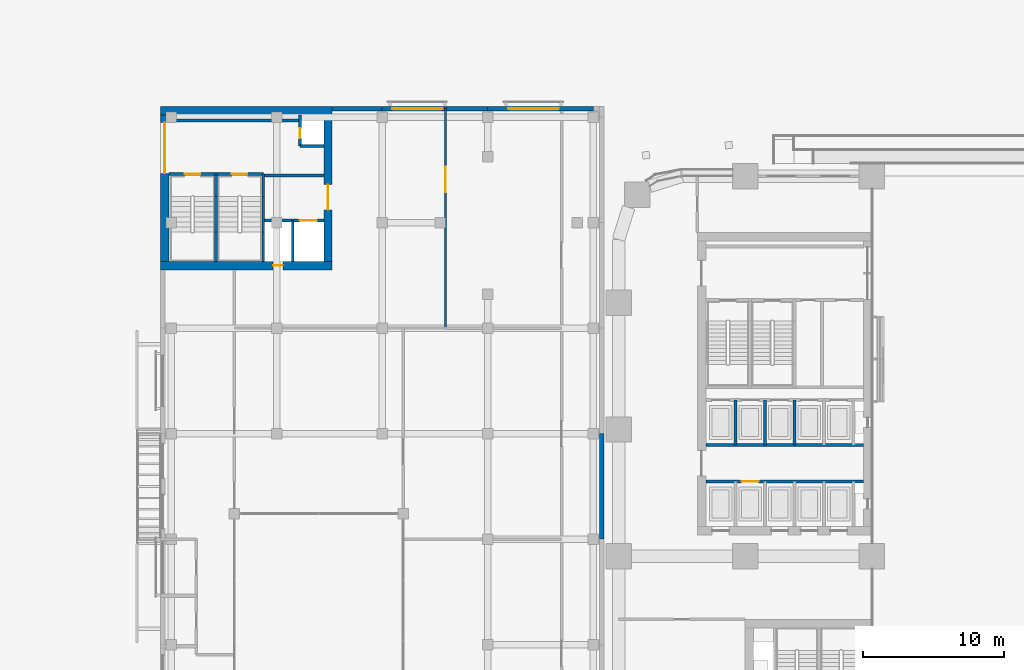
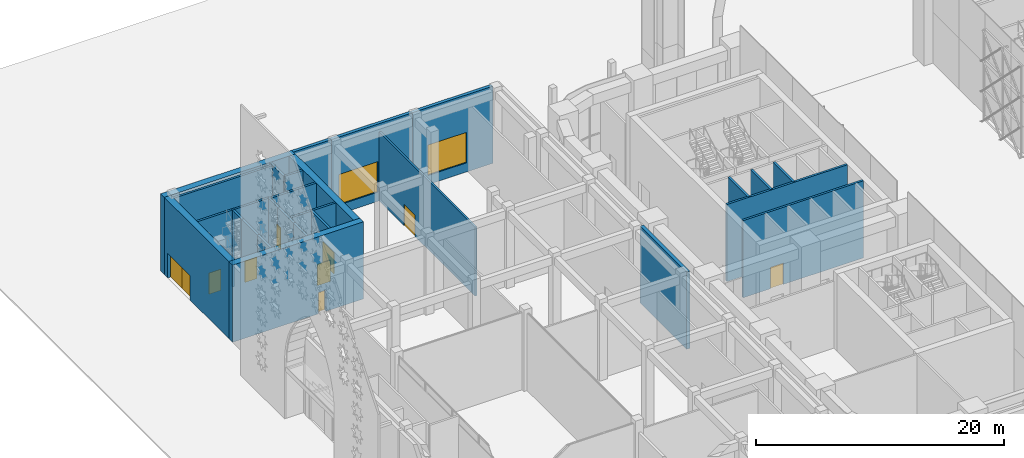
# One storey, part 34 of 64: 29 walls, 10 doors, 2 windows, 12 openings.
"""IFC4 building model written with IfcOpenShell, lengths in metres."""

from ifc_helpers import new_model, si_unit, direction, frame, frame_2d, origin, place, context, subcontext, project, spatial, rectangle, extrude, material, layer, layer_set, type_object, element, fill, save


model = new_model("IFC4")

# Units and contexts
model_context = context("Model", 3, precision=1e-05, world=origin(), true_north=direction((0.0, 1.0)))
body_context = subcontext(model_context, "Body", "Model", "MODEL_VIEW")
ifc_project = project(units=[si_unit("LENGTHUNIT", "METRE"), si_unit("AREAUNIT", "SQUARE_METRE"), si_unit("VOLUMEUNIT", "CUBIC_METRE"), si_unit("PLANEANGLEUNIT", "RADIAN"), si_unit("MASSUNIT", "GRAM", prefix="KILO")], contexts=[model_context])

# Site, building, storey
site_placement = place(None, origin())
site = spatial("IfcSite", under=ifc_project, at=site_placement, CompositionType="ELEMENT")
building_placement = place(site_placement, origin())
building = spatial("IfcBuilding", under=site, at=building_placement, Name="Tessera Arch", CompositionType="ELEMENT")
storey_placement = place(building_placement, origin())
storey = spatial("IfcBuildingStorey", under=building, at=storey_placement, Name="L00", CompositionType="ELEMENT", Elevation=0.0)

# Walls
ifc_material_1 = material(Name="Gypsum board on steel stud", Category="steel")
ifc_layer_1 = layer(ifc_material_1, 0.125)
ifc_layer_set_1 = layer_set([ifc_layer_1], Name="Core partition 125 EI 60")
wall_type_1 = type_object("IfcWallType", Name="Core partition 125 EI 60", PredefinedType="PARTITIONING", material=ifc_layer_set_1)
wall_1_placement = place(storey_placement, frame((-25.25, 54.050048828125, 0.0), z_axis=(0.0, 0.0, 1.0), x_axis=(1.0, 0.0, 0.0)))
element("IfcWall", 1, at=wall_1_placement, inside=storey, type_object=wall_type_1, Name="L00 M1 partition wall 10", PredefinedType="PARTITIONING", context=body_context, shape_type="SweptSolid", body=[
    extrude(rectangle(XDim=4.300048828125, YDim=0.199951171875, at=frame_2d((2.14990234375, 0.0))), origin(), (0.0, 0.0, 1.0), 7.590087890625),
])
wall_2_placement = place(storey_placement, frame((-31.949951171875, 57.949951171875, 0.0), z_axis=(0.0, 0.0, 1.0), x_axis=(1.0, 0.0, 0.0)))
element("IfcWall", 2, at=wall_2_placement, inside=storey, type_object=wall_type_1, Name="L00 M1 partition wall 15", PredefinedType="PARTITIONING", context=body_context, shape_type="SweptSolid", body=[
    extrude(rectangle(XDim=9.300048828125, YDim=0.199951171875, at=frame_2d((4.64990234375, 0.0))), origin(), (0.0, 0.0, 1.0), 7.590087890625),
])

# Wall, opening, door
ifc_material_2 = material(Name="Concrete C70/85", Category="concrete")
ifc_layer_2 = layer(ifc_material_2, 0.60009765625)
ifc_layer_set_2 = layer_set([ifc_layer_2], Name="Core shell wall 600 C70-85")
wall_type_2 = type_object("IfcWallType", Name="Core shell wall 600 C70-85", PredefinedType="SHEAR", material=ifc_layer_set_2)
wall_3_placement = place(storey_placement, frame((-32.550048828125, 47.64990234375, 0.0), z_axis=(0.0, 0.0, 1.0), x_axis=(1.0, 0.0, 0.0)))
wall_3 = element("IfcWall", 3, at=wall_3_placement, inside=storey, type_object=wall_type_2, Name="L00 M1 core wall S", PredefinedType="SHEAR", context=body_context, shape_type="SweptSolid", body=[
    extrude(rectangle(XDim=12.199951171875, YDim=0.60009765625, at=frame_2d((6.10009765625, 0.0))), origin(), (0.0, 0.0, 1.0), 7.590087890625),
])
opening_1_placement = place(wall_3_placement, frame((8.0, 0.0, 0.0)))
opening_1 = element("IfcOpeningElement", 4, at=opening_1_placement, cuts=wall_3, Name="Opening L00-C54", PredefinedType="OPENING", context=body_context, shape_type="SweptSolid", body=[
    extrude(rectangle(XDim=0.699951171875, YDim=2.10009765625, at=frame_2d((0.35009765625, 1.050048828125))), frame((0.0, 0.31005859375, 0.0), z_axis=(0.0, -1.0, 0.0), x_axis=(1.0, 0.0, 0.0)), (0.0, 0.0, 1.0), 0.6201171875),
])
ifc_material_3 = material(Name="Steel door leaf", Category="steel")
door_type_1 = type_object("IfcDoorType", Name="Service shaft door FD60 700 x 2100", OperationType="SINGLE_SWING_LEFT", PredefinedType="DOOR", material=ifc_material_3)
door_1_placement = place(opening_1_placement, origin())
door_1 = element("IfcDoor", 5, at=door_1_placement, inside=storey, type_object=door_type_1, Name="L00 M1 door 6 C54 type D07", OperationType="SINGLE_SWING_RIGHT", OverallHeight=2.10009765625, OverallWidth=0.699951171875, PredefinedType="DOOR", context=body_context, shape_type="SweptSolid", body=[
    extrude(rectangle(XDim=0.699951171875, YDim=2.10009765625, at=frame_2d((0.35009765625, 1.050048828125))), frame((0.0, 0.02490234375, 0.0), z_axis=(0.0, -1.0, 0.0), x_axis=(1.0, 0.0, 0.0)), (0.0, 0.0, 1.0), 0.050048828125),
])
fill(opening_1, door_1)

# Wall
wall_4_placement = place(storey_placement, frame((-32.550048828125, 58.64990234375, 0.0), z_axis=(0.0, 0.0, 1.0), x_axis=(1.0, 0.0, 0.0)))
element("IfcWall", 6, at=wall_4_placement, inside=storey, type_object=wall_type_2, Name="L00 M1 core wall N", PredefinedType="SHEAR", context=body_context, shape_type="SweptSolid", body=[
    extrude(rectangle(XDim=12.199951171875, YDim=0.60009765625, at=frame_2d((6.10009765625, 0.0))), origin(), (0.0, 0.0, 1.0), 7.590087890625),
])

# Wall, openings, doors
wall_5_placement = place(storey_placement, frame((-32.25, 47.949951171875, 0.0), z_axis=(0.0, 0.0, 1.0), x_axis=(0.0, 1.0, 0.0)))
wall_5 = element("IfcWall", 7, at=wall_5_placement, inside=storey, type_object=wall_type_2, Name="L00 M1 core wall W", PredefinedType="SHEAR", context=body_context, shape_type="SweptSolid", body=[
    extrude(rectangle(XDim=10.400146484375, YDim=0.60009765625, at=frame_2d((5.2001953125, 0.0))), origin(), (0.0, 0.0, 1.0), 7.590087890625),
])
opening_2_placement = place(wall_5_placement, frame((6.25, 0.0, 0.0)))
opening_2 = element("IfcOpeningElement", 8, at=opening_2_placement, cuts=wall_5, Name="Opening L00-C75", PredefinedType="OPENING", context=body_context, shape_type="SweptSolid", body=[
    extrude(rectangle(XDim=1.800048828125, YDim=2.39990234375, at=frame_2d((0.89990234375, 1.199951171875))), frame((0.0, 0.31005859375, 0.0), z_axis=(0.0, -1.0, 0.0), x_axis=(1.0, 0.0, 0.0)), (0.0, 0.0, 1.0), 0.6201171875),
])
opening_3_placement = place(wall_5_placement, frame((8.050048828125, 0.0, 0.0)))
opening_3 = element("IfcOpeningElement", 9, at=opening_3_placement, cuts=wall_5, Name="Opening L00-C76", PredefinedType="OPENING", context=body_context, shape_type="SweptSolid", body=[
    extrude(rectangle(XDim=1.800048828125, YDim=2.39990234375, at=frame_2d((0.89990234375, 1.199951171875))), frame((0.0, 0.31005859375, 0.0), z_axis=(0.0, -1.0, 0.0), x_axis=(1.0, 0.0, 0.0)), (0.0, 0.0, 1.0), 0.6201171875),
])
ifc_material_4 = material(Name="Steel door leaf", Category="steel")
door_type_2 = type_object("IfcDoorType", Name="Stair discharge door 1800 x 2400", OperationType="DOUBLE_DOOR_SINGLE_SWING", PredefinedType="DOOR", material=ifc_material_4)
door_2_placement = place(opening_2_placement, origin())
door_2 = element("IfcDoor", 10, at=door_2_placement, inside=storey, type_object=door_type_2, Name="Stair M1a exit C75 type D10", OperationType="DOUBLE_DOOR_SINGLE_SWING", OverallHeight=2.39990234375, OverallWidth=1.800048828125, PredefinedType="DOOR", context=body_context, shape_type="SweptSolid", body=[
    extrude(rectangle(XDim=1.800048828125, YDim=2.39990234375, at=frame_2d((0.89990234375, 1.199951171875))), frame((0.0, 0.02490234375, 0.0), z_axis=(0.0, -1.0, 0.0), x_axis=(1.0, 0.0, 0.0)), (0.0, 0.0, 1.0), 0.050048828125),
])
fill(opening_2, door_2)
door_3_placement = place(opening_3_placement, origin())
door_3 = element("IfcDoor", 11, at=door_3_placement, inside=storey, type_object=door_type_2, Name="Stair M1b exit C76 type D10", OperationType="DOUBLE_DOOR_SINGLE_SWING", OverallHeight=2.39990234375, OverallWidth=1.800048828125, PredefinedType="DOOR", context=body_context, shape_type="SweptSolid", body=[
    extrude(rectangle(XDim=1.800048828125, YDim=2.39990234375, at=frame_2d((0.89990234375, 1.199951171875))), frame((0.0, 0.02490234375, 0.0), z_axis=(0.0, -1.0, 0.0), x_axis=(1.0, 0.0, 0.0)), (0.0, 0.0, 1.0), 0.050048828125),
])
fill(opening_3, door_3)

# Wall, opening, door
wall_6_placement = place(storey_placement, frame((-20.64990234375, 47.949951171875, 0.0), z_axis=(0.0, 0.0, 1.0), x_axis=(0.0, 1.0, 0.0)))
wall_6 = element("IfcWall", 12, at=wall_6_placement, inside=storey, type_object=wall_type_2, Name="L00 M1 core wall E", PredefinedType="SHEAR", context=body_context, shape_type="SweptSolid", body=[
    extrude(rectangle(XDim=10.400146484375, YDim=0.60009765625, at=frame_2d((5.2001953125, 0.0))), origin(), (0.0, 0.0, 1.0), 7.590087890625),
])
opening_4_placement = place(wall_6_placement, frame((3.64990234375, 0.0, 0.0)))
opening_4 = element("IfcOpeningElement", 13, at=opening_4_placement, cuts=wall_6, Name="Opening L00-C52", PredefinedType="OPENING", context=body_context, shape_type="SweptSolid", body=[
    extrude(rectangle(XDim=1.800048828125, YDim=2.10009765625, at=frame_2d((0.89990234375, 1.050048828125))), frame((0.0, 0.31005859375, 0.0), z_axis=(0.0, -1.0, 0.0), x_axis=(1.0, 0.0, 0.0)), (0.0, 0.0, 1.0), 0.6201171875),
])
ifc_material_5 = material(Name="Glazed steel door leaf", Category="steel")
door_type_3 = type_object("IfcDoorType", Name="Lobby double door FD30S 1800 x 2100", OperationType="DOUBLE_DOOR_SINGLE_SWING", PredefinedType="DOOR", material=ifc_material_5)
door_4_placement = place(opening_4_placement, origin())
door_4 = element("IfcDoor", 14, at=door_4_placement, inside=storey, type_object=door_type_3, Name="L00 M1 door 4 C52 type D06", OperationType="DOUBLE_DOOR_SINGLE_SWING", OverallHeight=2.10009765625, OverallWidth=1.800048828125, PredefinedType="DOOR", context=body_context, shape_type="SweptSolid", body=[
    extrude(rectangle(XDim=1.800048828125, YDim=2.10009765625, at=frame_2d((0.89990234375, 1.050048828125))), frame((0.0, 0.02490234375, 0.0), z_axis=(0.0, -1.0, 0.0), x_axis=(1.0, 0.0, 0.0)), (0.0, 0.0, 1.0), 0.050048828125),
])
fill(opening_4, door_4)

ifc_material_6 = material(Name="Gypsum board on deep steel stud with mineral wool", Category="steel")
ifc_layer_3 = layer(ifc_material_6, 0.175048828125)
ifc_layer_set_3 = layer_set([ifc_layer_3], Name="Corridor wall 175 EI 60")
wall_type_3 = type_object("IfcWallType", Name="Corridor wall 175 EI 60", PredefinedType="PARTITIONING", material=ifc_layer_set_3)
wall_7_placement = place(storey_placement, frame((-12.300048828125, 43.199951171875, 0.0), z_axis=(0.0, 0.0, 1.0), x_axis=(0.0, 1.0, 0.0)))
wall_7 = element("IfcWall", 15, at=wall_7_placement, inside=storey, type_object=wall_type_3, Name="L00 partition 18", PredefinedType="PARTITIONING", context=body_context, shape_type="SweptSolid", body=[
    extrude(rectangle(XDim=15.75, YDim=0.175048828125, at=frame_2d((7.875, 0.0))), origin(), (0.0, 0.0, 1.0), 6.7900390625),
])
opening_5_placement = place(wall_7_placement, frame((9.6650390625, 0.0, 0.0)))
opening_5 = element("IfcOpeningElement", 16, at=opening_5_placement, cuts=wall_7, Name="Opening L00-D006", PredefinedType="OPENING", context=body_context, shape_type="SweptSolid", body=[
    extrude(rectangle(XDim=1.800048828125, YDim=2.10009765625, at=frame_2d((0.89990234375, 1.050048828125))), frame((0.0, 0.097412109375, 0.0), z_axis=(0.0, -1.0, 0.0), x_axis=(1.0, 0.0, 0.0)), (0.0, 0.0, 1.0), 0.195068359375),
])
ifc_material_7 = material(Name="Timber door leaf", Category="wood")
door_type_4 = type_object("IfcDoorType", Name="Double door 1800 x 2100", OperationType="DOUBLE_DOOR_SINGLE_SWING", PredefinedType="DOOR", material=ifc_material_7)
door_5_placement = place(opening_5_placement, origin())
door_5 = element("IfcDoor", 17, at=door_5_placement, inside=storey, type_object=door_type_4, Name="L00 door D006 type D13", OperationType="DOUBLE_DOOR_SINGLE_SWING", OverallHeight=2.10009765625, OverallWidth=1.800048828125, PredefinedType="DOOR", context=body_context, shape_type="SweptSolid", body=[
    extrude(rectangle(XDim=1.800048828125, YDim=2.10009765625, at=frame_2d((0.89990234375, 1.050048828125))), frame((0.0, 0.02490234375, 0.0), z_axis=(0.0, -1.0, 0.0), x_axis=(1.0, 0.0, 0.0)), (0.0, 0.0, 1.0), 0.050048828125),
])
fill(opening_5, door_5)

# Wall, opening, window
ifc_material_8 = material(Name="Aluminium cladding pale metal anodised", Category="aluminium")
ifc_layer_4 = layer(ifc_material_8, 0.300048828125)
ifc_layer_set_4 = layer_set([ifc_layer_4], Name="Museum envelope wall pale metal")
wall_type_4 = type_object("IfcWallType", Name="Museum envelope wall pale metal", PredefinedType="SOLIDWALL", material=ifc_layer_set_4)
wall_8_placement = place(storey_placement, frame((-1.800048828125, 58.800048828125, 0.0), z_axis=(0.0, 0.0, 1.0), x_axis=(-1.0, 0.0, 0.0)))
wall_8 = element("IfcWall", 18, at=wall_8_placement, inside=storey, type_object=wall_type_4, Name="Museum external wall pale metal mashrabiya pattern", PredefinedType="SOLIDWALL", context=body_context, shape_type="SweptSolid", body=[
    extrude(rectangle(XDim=7.5, YDim=0.300048828125, at=frame_2d((3.75, 0.0))), origin(), (0.0, 0.0, 1.0), 7.590087890625),
])
opening_6_placement = place(wall_8_placement, frame((2.449951171875, 0.0, 0.89990234375)))
opening_6 = element("IfcOpeningElement", 19, at=opening_6_placement, cuts=wall_8, Name="Opening L00-MV04", PredefinedType="OPENING", context=body_context, shape_type="SweptSolid", body=[
    extrude(rectangle(XDim=3.60009765625, YDim=3.0, at=frame_2d((1.800048828125, 1.5))), frame((0.0, 0.159912109375, 0.0), z_axis=(0.0, -1.0, 0.0), x_axis=(1.0, 0.0, 0.0)), (0.0, 0.0, 1.0), 0.320068359375),
])
ifc_material_9 = material(Name="Clear low-e glass in aluminium frame", Category="aluminium")
window_type = type_object("IfcWindowType", Name="Museum window fixed clear glass", PartitioningType="SINGLE_PANEL", PredefinedType="WINDOW", material=ifc_material_9)
window_1_placement = place(opening_6_placement, origin())
window_1 = element("IfcWindow", 20, at=window_1_placement, inside=storey, type_object=window_type, Name="Museum window L00 5-2", OverallHeight=3.0, OverallWidth=3.60009765625, PartitioningType="SINGLE_PANEL", PredefinedType="WINDOW", context=body_context, shape_type="SweptSolid", body=[
    extrude(rectangle(XDim=3.60009765625, YDim=3.0, at=frame_2d((1.800048828125, 1.5))), frame((0.0, 0.030029296875, 0.0), z_axis=(0.0, -1.0, 0.0), x_axis=(1.0, 0.0, 0.0)), (0.0, 0.0, 1.0), 0.06005859375),
])
fill(opening_6, window_1)

wall_9_placement = place(storey_placement, frame((-9.300048828125, 58.800048828125, 0.0), z_axis=(0.0, 0.0, 1.0), x_axis=(-1.0, 0.0, 0.0)))
wall_9 = element("IfcWall", 21, at=wall_9_placement, inside=storey, type_object=wall_type_4, Name="Museum external wall pale metal mashrabiya pattern", PredefinedType="SOLIDWALL", context=body_context, shape_type="SweptSolid", body=[
    extrude(rectangle(XDim=7.5, YDim=0.300048828125, at=frame_2d((3.75, 0.0))), origin(), (0.0, 0.0, 1.0), 7.590087890625),
])
opening_7_placement = place(wall_9_placement, frame((3.199951171875, 0.0, 0.89990234375)))
opening_7 = element("IfcOpeningElement", 22, at=opening_7_placement, cuts=wall_9, Name="Opening L00-MV05", PredefinedType="OPENING", context=body_context, shape_type="SweptSolid", body=[
    extrude(rectangle(XDim=3.60009765625, YDim=3.0, at=frame_2d((1.800048828125, 1.5))), frame((0.0, 0.159912109375, 0.0), z_axis=(0.0, -1.0, 0.0), x_axis=(1.0, 0.0, 0.0)), (0.0, 0.0, 1.0), 0.320068359375),
])
window_2_placement = place(opening_7_placement, origin())
window_2 = element("IfcWindow", 23, at=window_2_placement, inside=storey, type_object=window_type, Name="Museum window L00 5-3", OverallHeight=3.0, OverallWidth=3.60009765625, PartitioningType="SINGLE_PANEL", PredefinedType="WINDOW", context=body_context, shape_type="SweptSolid", body=[
    extrude(rectangle(XDim=3.60009765625, YDim=3.0, at=frame_2d((1.800048828125, 1.5))), frame((0.0, 0.030029296875, 0.0), z_axis=(0.0, -1.0, 0.0), x_axis=(1.0, 0.0, 0.0)), (0.0, 0.0, 1.0), 0.06005859375),
])
fill(opening_7, window_2)

# Walls
wall_10_placement = place(storey_placement, frame((-16.800048828125, 58.800048828125, 0.0), z_axis=(0.0, 0.0, 1.0), x_axis=(-1.0, 0.0, 0.0)))
element("IfcWall", 24, at=wall_10_placement, inside=storey, type_object=wall_type_4, Name="Museum external wall pale metal mashrabiya pattern", PredefinedType="SOLIDWALL", context=body_context, shape_type="SweptSolid", body=[
    extrude(rectangle(XDim=3.550048828125, YDim=0.300048828125, at=frame_2d((1.77490234375, 0.0))), origin(), (0.0, 0.0, 1.0), 7.590087890625),
])
ifc_material_10 = material(Name="Concrete C40/50", Category="concrete")
ifc_layer_5 = layer(ifc_material_10, 0.300048828125)
ifc_layer_set_5 = layer_set([ifc_layer_5], Name="Museum fire wall")
wall_type_5 = type_object("IfcWallType", Name="Museum fire wall", PredefinedType="SOLIDWALL", material=ifc_layer_set_5)
wall_11_placement = place(storey_placement, frame((-1.199951171875, 28.199951171875, 0.0), z_axis=(0.0, 0.0, 1.0), x_axis=(0.0, 1.0, 0.0)))
element("IfcWall", 25, at=wall_11_placement, inside=storey, type_object=wall_type_5, Name="Museum fire wall at the movement joint", PredefinedType="SOLIDWALL", context=body_context, shape_type="SweptSolid", body=[
    extrude(rectangle(XDim=7.5, YDim=0.300048828125, at=frame_2d((3.75, 0.0))), origin(), (0.0, 0.0, 1.0), 7.590087890625),
])
ifc_material_11 = material(Name="Concrete C40/50", Category="concrete")
ifc_layer_6 = layer(ifc_material_11, 0.199951171875)
ifc_layer_set_6 = layer_set([ifc_layer_6], Name="Shaft wall 200 EI 120")
wall_type_6 = type_object("IfcWallType", Name="Shaft wall 200 EI 120", PredefinedType="SOLIDWALL", material=ifc_layer_set_6)
for number, where, z_axis, x_axis, name in (
    (26, (8.300048828125, 34.89990234375, 0.0), (0.0, 0.0, 1.0), (0.0, 1.0, 0.0), "L00 C2 shaft wall 2"),
    (27, (10.39990234375, 34.89990234375, 0.0), (0.0, 0.0, 1.0), (0.0, 1.0, 0.0), "L00 C2 shaft wall 7"),
    (28, (12.5, 34.89990234375, 0.0), (0.0, 0.0, 1.0), (0.0, 1.0, 0.0), "L00 C2 shaft wall 9"),
):
    element("IfcWall", number, at=place(storey_placement, frame(where, z_axis=z_axis, x_axis=x_axis)), inside=storey, type_object=wall_type_6, Name=name, PredefinedType="SOLIDWALL", context=body_context, shape_type="SweptSolid", body=[
        extrude(rectangle(XDim=3.2001953125, YDim=0.199951171875, at=frame_2d((1.60009765625, 0.0))), origin(), (0.0, 0.0, 1.0), 7.590087890625),
    ])

# Wall, opening, door
wall_12_placement = place(storey_placement, frame((6.199951171875, 32.300048828125, 0.0), z_axis=(0.0, 0.0, 1.0), x_axis=(1.0, 0.0, 0.0)))
wall_12 = element("IfcWall", 29, at=wall_12_placement, inside=storey, type_object=wall_type_6, Name="L00 C2 shaft wall 18", PredefinedType="SOLIDWALL", context=body_context, shape_type="SweptSolid", body=[
    extrude(rectangle(XDim=11.199951171875, YDim=0.199951171875, at=frame_2d((5.60009765625, 0.0))), origin(), (0.0, 0.0, 1.0), 7.590087890625),
])
opening_8_placement = place(wall_12_placement, frame((2.550048828125, 0.0, 0.0)))
opening_8 = element("IfcOpeningElement", 30, at=opening_8_placement, cuts=wall_12, Name="Opening L00-C18", PredefinedType="OPENING", context=body_context, shape_type="SweptSolid", body=[
    extrude(rectangle(XDim=1.199951171875, YDim=2.10009765625, at=frame_2d((0.60009765625, 1.050048828125))), frame((0.0, 0.10986328125, 0.0), z_axis=(0.0, -1.0, 0.0), x_axis=(1.0, 0.0, 0.0)), (0.0, 0.0, 1.0), 0.219970703125),
])
ifc_material_12 = material(Name="Stainless steel AISI 304", Category="steel")
door_type_5 = type_object("IfcDoorType", Name="Sliding landing door 1200 x 2100", OperationType="SLIDING_TO_LEFT", PredefinedType="DOOR", material=ifc_material_12)
door_6_placement = place(opening_8_placement, origin())
door_6 = element("IfcDoor", 31, at=door_6_placement, inside=storey, type_object=door_type_5, Name="L00 LR2 lift landing door C18 type LD", OperationType="SLIDING_TO_LEFT", OverallHeight=2.10009765625, OverallWidth=1.199951171875, PredefinedType="DOOR", context=body_context, shape_type="SweptSolid", body=[
    extrude(rectangle(XDim=1.199951171875, YDim=2.10009765625, at=frame_2d((0.60009765625, 1.050048828125))), frame((0.0, 0.02490234375, 0.0), z_axis=(0.0, -1.0, 0.0), x_axis=(1.0, 0.0, 0.0)), (0.0, 0.0, 1.0), 0.050048828125),
])
fill(opening_8, door_6)

# Walls
wall_13_placement = place(storey_placement, frame((6.199951171875, 34.89990234375, 0.0), z_axis=(0.0, 0.0, 1.0), x_axis=(1.0, 0.0, 0.0)))
element("IfcWall", 32, at=wall_13_placement, inside=storey, type_object=wall_type_6, Name="L00 C2 shaft wall 19", PredefinedType="SOLIDWALL", context=body_context, shape_type="SweptSolid", body=[
    extrude(rectangle(XDim=11.199951171875, YDim=0.199951171875, at=frame_2d((5.60009765625, 0.0))), origin(), (0.0, 0.0, 1.0), 7.590087890625),
])
wall_14_placement = place(storey_placement, frame((-23.14990234375, 47.949951171875, 0.0), z_axis=(0.0, 0.0, 1.0), x_axis=(0.0, 1.0, 0.0)))
element("IfcWall", 33, at=wall_14_placement, inside=storey, type_object=wall_type_6, Name="L00 M1 shaft wall 7", PredefinedType="SOLIDWALL", context=body_context, shape_type="SweptSolid", body=[
    extrude(rectangle(XDim=2.900146484375, YDim=0.199951171875, at=frame_2d((1.4501953125, 0.0))), origin(), (0.0, 0.0, 1.0), 7.590087890625),
])

# Wall, opening, door
wall_15_placement = place(storey_placement, frame((-22.64990234375, 56.14990234375, 0.0), z_axis=(0.0, 0.0, 1.0), x_axis=(0.0, 1.0, 0.0)))
wall_15 = element("IfcWall", 34, at=wall_15_placement, inside=storey, type_object=wall_type_6, Name="L00 M1 shaft wall 8", PredefinedType="SOLIDWALL", context=body_context, shape_type="SweptSolid", body=[
    extrude(rectangle(XDim=2.2001953125, YDim=0.199951171875, at=frame_2d((1.10009765625, 0.0))), origin(), (0.0, 0.0, 1.0), 7.590087890625),
])
opening_9_placement = place(wall_15_placement, frame((0.550048828125, 0.0, 0.0)))
opening_9 = element("IfcOpeningElement", 35, at=opening_9_placement, cuts=wall_15, Name="Opening L00-C53", PredefinedType="OPENING", context=body_context, shape_type="SweptSolid", body=[
    extrude(rectangle(XDim=0.699951171875, YDim=2.10009765625, at=frame_2d((0.35009765625, 1.050048828125))), frame((0.0, 0.10986328125, 0.0), z_axis=(0.0, -1.0, 0.0), x_axis=(1.0, 0.0, 0.0)), (0.0, 0.0, 1.0), 0.219970703125),
])
door_7_placement = place(opening_9_placement, origin())
door_7 = element("IfcDoor", 36, at=door_7_placement, inside=storey, type_object=door_type_1, Name="L00 M1 door 5 C53 type D07", OperationType="SINGLE_SWING_LEFT", OverallHeight=2.10009765625, OverallWidth=0.699951171875, PredefinedType="DOOR", context=body_context, shape_type="SweptSolid", body=[
    extrude(rectangle(XDim=0.699951171875, YDim=2.10009765625, at=frame_2d((0.35009765625, 1.050048828125))), frame((0.0, 0.02490234375, 0.0), z_axis=(0.0, -1.0, 0.0), x_axis=(1.0, 0.0, 0.0)), (0.0, 0.0, 1.0), 0.050048828125),
])
fill(opening_9, door_7)

wall_16_placement = place(storey_placement, frame((-25.25, 50.85009765625, 0.0), z_axis=(0.0, 0.0, 1.0), x_axis=(1.0, 0.0, 0.0)))
wall_16 = element("IfcWall", 37, at=wall_16_placement, inside=storey, type_object=wall_type_6, Name="L00 M1 shaft wall 9", PredefinedType="SOLIDWALL", context=body_context, shape_type="SweptSolid", body=[
    extrude(rectangle(XDim=4.300048828125, YDim=0.199951171875, at=frame_2d((2.14990234375, 0.0))), origin(), (0.0, 0.0, 1.0), 7.590087890625),
])
opening_10_placement = place(wall_16_placement, frame((2.60009765625, 0.0, 0.0)))
opening_10 = element("IfcOpeningElement", 38, at=opening_10_placement, cuts=wall_16, Name="Opening L00-C49", PredefinedType="OPENING", context=body_context, shape_type="SweptSolid", body=[
    extrude(rectangle(XDim=1.199951171875, YDim=2.10009765625, at=frame_2d((0.60009765625, 1.050048828125))), frame((0.0, 0.10986328125, 0.0), z_axis=(0.0, -1.0, 0.0), x_axis=(1.0, 0.0, 0.0)), (0.0, 0.0, 1.0), 0.219970703125),
])
door_8_placement = place(opening_10_placement, origin())
door_8 = element("IfcDoor", 39, at=door_8_placement, inside=storey, type_object=door_type_5, Name="L00 ML1 lift landing door C49 type LD", OperationType="SLIDING_TO_LEFT", OverallHeight=2.10009765625, OverallWidth=1.199951171875, PredefinedType="DOOR", context=body_context, shape_type="SweptSolid", body=[
    extrude(rectangle(XDim=1.199951171875, YDim=2.10009765625, at=frame_2d((0.60009765625, 1.050048828125))), frame((0.0, 0.02490234375, 0.0), z_axis=(0.0, -1.0, 0.0), x_axis=(1.0, 0.0, 0.0)), (0.0, 0.0, 1.0), 0.050048828125),
])
fill(opening_10, door_8)

# Walls
wall_17_placement = place(storey_placement, frame((-22.64990234375, 56.14990234375, 0.0), z_axis=(0.0, 0.0, 1.0), x_axis=(1.0, 0.0, 0.0)))
element("IfcWall", 40, at=wall_17_placement, inside=storey, type_object=wall_type_6, Name="L00 M1 shaft wall 14", PredefinedType="SOLIDWALL", context=body_context, shape_type="SweptSolid", body=[
    extrude(rectangle(XDim=1.699951171875, YDim=0.199951171875, at=frame_2d((0.85009765625, 0.0))), origin(), (0.0, 0.0, 1.0), 7.590087890625),
])
ifc_material_13 = material(Name="Concrete C40/50", Category="concrete")
ifc_layer_7 = layer(ifc_material_13, 0.199951171875)
ifc_layer_set_7 = layer_set([ifc_layer_7], Name="Stair well wall 200 REI 180")
wall_type_7 = type_object("IfcWallType", Name="Stair well wall 200 REI 180", PredefinedType="SOLIDWALL", material=ifc_layer_set_7)
wall_18_placement = place(storey_placement, frame((-28.60009765625, 47.949951171875, 0.0), z_axis=(0.0, 0.0, 1.0), x_axis=(0.0, 1.0, 0.0)))
element("IfcWall", 41, at=wall_18_placement, inside=storey, type_object=wall_type_7, Name="L00 M1 shaft wall 1", PredefinedType="SOLIDWALL", context=body_context, shape_type="SweptSolid", body=[
    extrude(rectangle(XDim=2.080078125, YDim=0.199951171875, at=frame_2d((1.0400390625, 0.0))), origin(), (0.0, 0.0, 1.0), 7.590087890625),
])
wall_19_placement = place(storey_placement, frame((-28.60009765625, 50.030029296875, 0.0), z_axis=(0.0, 0.0, 1.0), x_axis=(0.0, 1.0, 0.0)))
element("IfcWall", 42, at=wall_19_placement, inside=storey, type_object=wall_type_7, Name="L00 M1 shaft wall 2", PredefinedType="SOLIDWALL", context=body_context, shape_type="SweptSolid", body=[
    extrude(rectangle(XDim=2.52001953125, YDim=0.199951171875, at=frame_2d((1.260009765625, 0.0))), origin(), (0.0, 0.0, 1.0), 7.590087890625),
])
wall_20_placement = place(storey_placement, frame((-28.60009765625, 52.550048828125, 0.0), z_axis=(0.0, 0.0, 1.0), x_axis=(0.0, 1.0, 0.0)))
element("IfcWall", 43, at=wall_20_placement, inside=storey, type_object=wall_type_7, Name="L00 M1 shaft wall 3", PredefinedType="SOLIDWALL", context=body_context, shape_type="SweptSolid", body=[
    extrude(rectangle(XDim=1.599853515625, YDim=0.199951171875, at=frame_2d((0.7998046875, 0.0))), origin(), (0.0, 0.0, 1.0), 7.590087890625),
])
wall_21_placement = place(storey_placement, frame((-25.25, 47.949951171875, 0.0), z_axis=(0.0, 0.0, 1.0), x_axis=(0.0, 1.0, 0.0)))
element("IfcWall", 44, at=wall_21_placement, inside=storey, type_object=wall_type_7, Name="L00 M1 shaft wall 4", PredefinedType="SOLIDWALL", context=body_context, shape_type="SweptSolid", body=[
    extrude(rectangle(XDim=2.080078125, YDim=0.199951171875, at=frame_2d((1.0400390625, 0.0))), origin(), (0.0, 0.0, 1.0), 7.590087890625),
])
wall_22_placement = place(storey_placement, frame((-25.25, 50.030029296875, 0.0), z_axis=(0.0, 0.0, 1.0), x_axis=(0.0, 1.0, 0.0)))
element("IfcWall", 45, at=wall_22_placement, inside=storey, type_object=wall_type_7, Name="L00 M1 shaft wall 5", PredefinedType="SOLIDWALL", context=body_context, shape_type="SweptSolid", body=[
    extrude(rectangle(XDim=2.52001953125, YDim=0.199951171875, at=frame_2d((1.260009765625, 0.0))), origin(), (0.0, 0.0, 1.0), 7.590087890625),
])
wall_23_placement = place(storey_placement, frame((-25.25, 52.550048828125, 0.0), z_axis=(0.0, 0.0, 1.0), x_axis=(0.0, 1.0, 0.0)))
element("IfcWall", 46, at=wall_23_placement, inside=storey, type_object=wall_type_7, Name="L00 M1 shaft wall 6", PredefinedType="SOLIDWALL", context=body_context, shape_type="SweptSolid", body=[
    extrude(rectangle(XDim=1.599853515625, YDim=0.199951171875, at=frame_2d((0.7998046875, 0.0))), origin(), (0.0, 0.0, 1.0), 7.590087890625),
])

# Wall, opening, door
wall_24_placement = place(storey_placement, frame((-31.949951171875, 54.14990234375, 0.0), z_axis=(0.0, 0.0, 1.0), x_axis=(1.0, 0.0, 0.0)))
wall_24 = element("IfcWall", 47, at=wall_24_placement, inside=storey, type_object=wall_type_7, Name="L00 M1 shaft wall 11", PredefinedType="SOLIDWALL", context=body_context, shape_type="SweptSolid", body=[
    extrude(rectangle(XDim=3.25, YDim=0.199951171875, at=frame_2d((1.625, 0.0))), origin(), (0.0, 0.0, 1.0), 7.590087890625),
])
opening_11_placement = place(wall_24_placement, frame((1.125, 0.0, 0.0)))
opening_11 = element("IfcOpeningElement", 48, at=opening_11_placement, cuts=wall_24, Name="Opening L00-C50", PredefinedType="OPENING", context=body_context, shape_type="SweptSolid", body=[
    extrude(rectangle(XDim=1.10009765625, YDim=2.10009765625, at=frame_2d((0.550048828125, 1.050048828125))), frame((0.0, 0.10986328125, 0.0), z_axis=(0.0, -1.0, 0.0), x_axis=(1.0, 0.0, 0.0)), (0.0, 0.0, 1.0), 0.219970703125),
])
ifc_material_14 = material(Name="Steel door leaf", Category="steel")
door_type_6 = type_object("IfcDoorType", Name="Stair door FD60 1100 x 2100", OperationType="SINGLE_SWING_LEFT", PredefinedType="DOOR", material=ifc_material_14)
door_9_placement = place(opening_11_placement, origin())
door_9 = element("IfcDoor", 49, at=door_9_placement, inside=storey, type_object=door_type_6, Name="L00 M1 door 2 C50 type D05", OperationType="SINGLE_SWING_RIGHT", OverallHeight=2.10009765625, OverallWidth=1.10009765625, PredefinedType="DOOR", context=body_context, shape_type="SweptSolid", body=[
    extrude(rectangle(XDim=1.10009765625, YDim=2.10009765625, at=frame_2d((0.550048828125, 1.050048828125))), frame((0.0, 0.02490234375, 0.0), z_axis=(0.0, -1.0, 0.0), x_axis=(1.0, 0.0, 0.0)), (0.0, 0.0, 1.0), 0.050048828125),
])
fill(opening_11, door_9)

# Wall
wall_25_placement = place(storey_placement, frame((-28.699951171875, 54.14990234375, 0.0), z_axis=(0.0, 0.0, 1.0), x_axis=(1.0, 0.0, 0.0)))
element("IfcWall", 50, at=wall_25_placement, inside=storey, type_object=wall_type_7, Name="L00 M1 shaft wall 12", PredefinedType="SOLIDWALL", context=body_context, shape_type="SweptSolid", body=[
    extrude(rectangle(XDim=0.199951171875, YDim=0.199951171875, at=frame_2d((0.10009765625, 0.0))), origin(), (0.0, 0.0, 1.0), 7.590087890625),
])

# Wall, opening, door
wall_26_placement = place(storey_placement, frame((-28.5, 54.14990234375, 0.0), z_axis=(0.0, 0.0, 1.0), x_axis=(1.0, 0.0, 0.0)))
wall_26 = element("IfcWall", 51, at=wall_26_placement, inside=storey, type_object=wall_type_7, Name="L00 M1 shaft wall 13", PredefinedType="SOLIDWALL", context=body_context, shape_type="SweptSolid", body=[
    extrude(rectangle(XDim=3.25, YDim=0.199951171875, at=frame_2d((1.625, 0.0))), origin(), (0.0, 0.0, 1.0), 7.590087890625),
])
opening_12_placement = place(wall_26_placement, frame((1.02490234375, 0.0, 0.0)))
opening_12 = element("IfcOpeningElement", 52, at=opening_12_placement, cuts=wall_26, Name="Opening L00-C51", PredefinedType="OPENING", context=body_context, shape_type="SweptSolid", body=[
    extrude(rectangle(XDim=1.10009765625, YDim=2.10009765625, at=frame_2d((0.550048828125, 1.050048828125))), frame((0.0, 0.10986328125, 0.0), z_axis=(0.0, -1.0, 0.0), x_axis=(1.0, 0.0, 0.0)), (0.0, 0.0, 1.0), 0.219970703125),
])
door_10_placement = place(opening_12_placement, origin())
door_10 = element("IfcDoor", 53, at=door_10_placement, inside=storey, type_object=door_type_6, Name="L00 M1 door 3 C51 type D05", OperationType="SINGLE_SWING_LEFT", OverallHeight=2.10009765625, OverallWidth=1.10009765625, PredefinedType="DOOR", context=body_context, shape_type="SweptSolid", body=[
    extrude(rectangle(XDim=1.10009765625, YDim=2.10009765625, at=frame_2d((0.550048828125, 1.050048828125))), frame((0.0, 0.02490234375, 0.0), z_axis=(0.0, -1.0, 0.0), x_axis=(1.0, 0.0, 0.0)), (0.0, 0.0, 1.0), 0.050048828125),
])
fill(opening_12, door_10)

save(model, "model.ifc")
